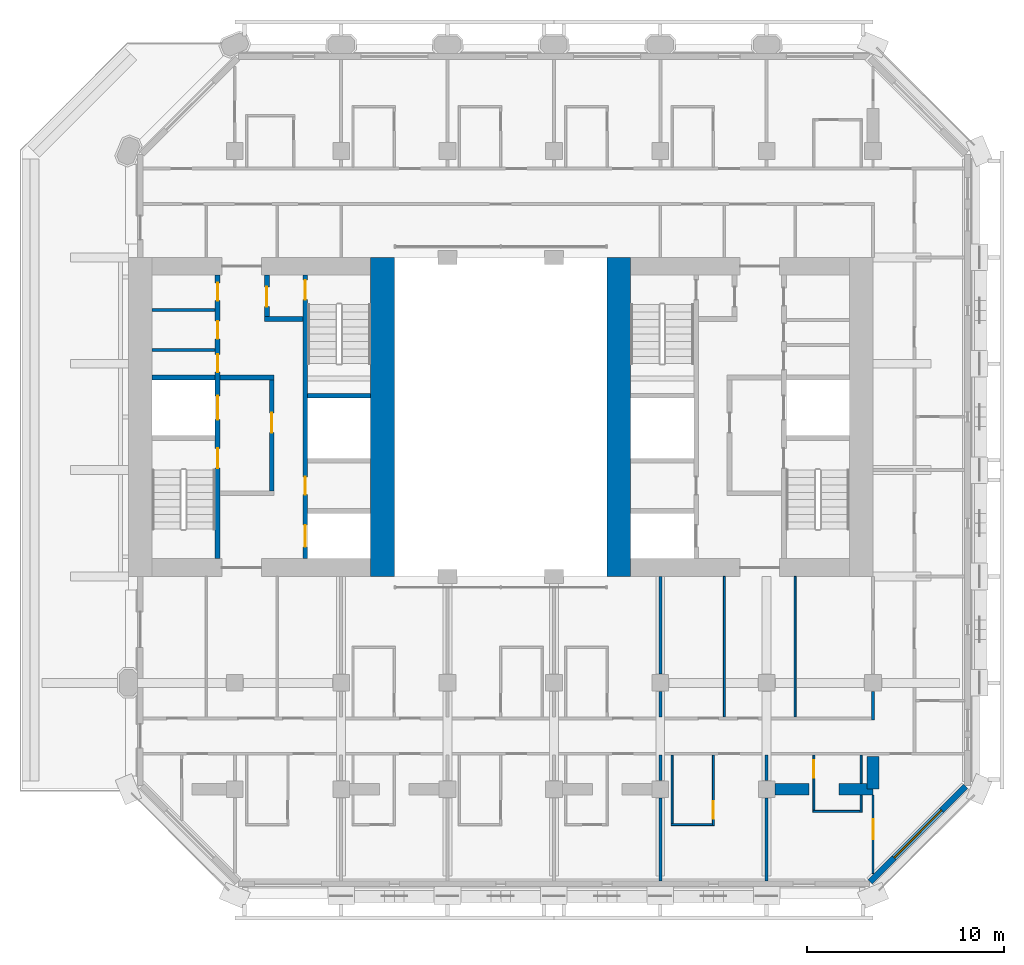
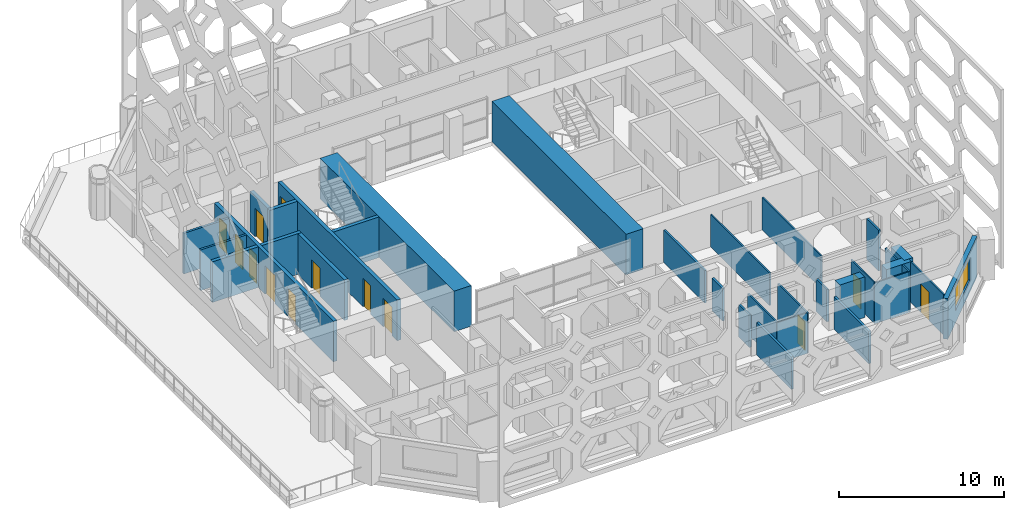
# One storey, part 8 of 16: 33 walls, 13 doors, 1 window, 14 openings.
"""IFC4 building model written with IfcOpenShell, lengths in metres."""

from ifc_helpers import new_model, si_unit, direction, frame, frame_2d, origin, place, context, subcontext, project, spatial, rectangle, extrude, material, layer, layer_set, type_object, element, fill, save


model = new_model("IFC4")

# Units and contexts
model_context = context("Model", 3, precision=1e-05, world=origin(), true_north=direction((0.0, 1.0)))
body_context = subcontext(model_context, "Body", "Model", "MODEL_VIEW")
ifc_project = project(units=[si_unit("LENGTHUNIT", "METRE"), si_unit("AREAUNIT", "SQUARE_METRE"), si_unit("VOLUMEUNIT", "CUBIC_METRE"), si_unit("PLANEANGLEUNIT", "RADIAN"), si_unit("MASSUNIT", "GRAM", prefix="KILO")], contexts=[model_context])

# Site, building, storey
site_placement = place(None, origin())
site = spatial("IfcSite", under=ifc_project, at=site_placement, CompositionType="ELEMENT")
building_placement = place(site_placement, origin())
building = spatial("IfcBuilding", under=site, at=building_placement, Name="Tabaq Tower and Sports Hall", CompositionType="ELEMENT")
storey_placement = place(building_placement, frame((0.0, 0.0, 152.800048828125)))
storey = spatial("IfcBuildingStorey", under=building, at=storey_placement, Name="L35", CompositionType="ELEMENT", Elevation=152.800048828125)

# Walls
ifc_material_1 = material(Name="Blockwork", Category="masonry")
ifc_layer_1 = layer(ifc_material_1, 0.14990234375)
ifc_layer_set_1 = layer_set([ifc_layer_1], Name="Core room partition 150 Blockwork")
wall_type_1 = type_object("IfcWallType", Name="Core room partition 150 Blockwork", PredefinedType="PARTITIONING", material=ifc_layer_set_1)
for number, where, z_axis, x_axis, name in (
    (1, (6.60009765625, 27.694091796875, 0.0), (0.0, 0.0, 1.0), (1.0, 0.0, 0.0), "Core room partition W L35"),
    (2, (6.60009765625, 29.72412109375, 0.0), (0.0, 0.0, 1.0), (1.0, 0.0, 0.0), "Core room partition W L35"),
):
    element("IfcWall", number, at=place(storey_placement, frame(where, z_axis=z_axis, x_axis=x_axis)), inside=storey, type_object=wall_type_1, Name=name, PredefinedType="PARTITIONING", context=body_context, shape_type="SweptSolid", body=[
        extrude(rectangle(XDim=3.199951171875, YDim=0.14990234375, at=frame_2d((1.60009765625, 0.0))), origin(), (0.0, 0.0, 1.0), 3.0),
    ])
ifc_material_2 = material(Name="Concrete C50/60", Category="concrete")
ifc_layer_2 = layer(ifc_material_2, 1.199951171875)
ifc_layer_set_2 = layer_set([ifc_layer_2], Name="Core wall 1200 Concrete C50/60")
wall_type_2 = type_object("IfcWallType", Name="Core wall 1200 Concrete C50/60", PredefinedType="SOLIDWALL", material=ifc_layer_set_2)
for number, where, z_axis, x_axis, name in (
    (3, (18.300048828125, 32.39990234375, 0.0), (0.0, 0.0, 1.0), (0.0, -1.0, 0.0), "Core wall W L35"),
    (4, (30.300048828125, 16.199951171875, 0.0), (0.0, 0.0, 1.0), (0.0, 1.0, 0.0), "Core wall E L35"),
):
    element("IfcWall", number, at=place(storey_placement, frame(where, z_axis=z_axis, x_axis=x_axis)), inside=storey, type_object=wall_type_2, Name=name, PredefinedType="SOLIDWALL", context=body_context, shape_type="SweptSolid", body=[
        extrude(rectangle(XDim=16.199951171875, YDim=1.199951171875, at=frame_2d((8.10009765625, 0.0))), origin(), (0.0, 0.0, 1.0), 3.0),
    ])

# Wall, opening, door
ifc_material_3 = material(Name="Gypsum board on steel studs", Category="steel")
ifc_layer_3 = layer(ifc_material_3, 0.10009765625)
ifc_layer_set_3 = layer_set([ifc_layer_3], Name="Partition 100 Gypsum board")
wall_type_3 = type_object("IfcWallType", Name="Partition 100 Gypsum board", PredefinedType="PARTITIONING", material=ifc_layer_set_3)
wall_1_placement = place(storey_placement, frame((35.10009765625, 7.125, 0.0), z_axis=(0.0, 0.0, 1.0), x_axis=(0.0, -1.0, 0.0)))
wall_1 = element("IfcWall", 5, at=wall_1_placement, inside=storey, type_object=wall_type_3, Name="Partition wall L35", PredefinedType="PARTITIONING", context=body_context, shape_type="SweptSolid", body=[
    extrude(rectangle(XDim=3.574951171875, YDim=0.10009765625, at=frame_2d((1.78759765625, 0.0))), origin(), (0.0, 0.0, 1.0), 3.0),
])
opening_1_placement = place(wall_1_placement, frame((2.324951171875, 0.0, 0.0)))
opening_1 = element("IfcOpeningElement", 6, at=opening_1_placement, cuts=wall_1, Name="Opening L35-023", PredefinedType="OPENING", context=body_context, shape_type="SweptSolid", body=[
    extrude(rectangle(XDim=0.89990234375, YDim=2.10009765625, at=frame_2d((0.449951171875, 1.050048828125))), frame((0.0, 0.050048828125, 0.0), z_axis=(0.0, -1.0, 0.0), x_axis=(1.0, 0.0, 0.0)), (0.0, 0.0, 1.0), 0.10009765625),
])
ifc_material_4 = material(Name="Timber leaf in steel frame", Category="steel")
door_type_1 = type_object("IfcDoorType", Name="Internal door 900 left hand", OperationType="SINGLE_SWING_LEFT", PredefinedType="DOOR", material=ifc_material_4)
door_1_placement = place(opening_1_placement, origin())
door_1 = element("IfcDoor", 7, at=door_1_placement, inside=storey, type_object=door_type_1, Name="Internal door L35-023", OperationType="SINGLE_SWING_LEFT", OverallHeight=2.10009765625, OverallWidth=0.89990234375, PredefinedType="DOOR", context=body_context, shape_type="SweptSolid", body=[
    extrude(rectangle(XDim=0.89990234375, YDim=2.10009765625, at=frame_2d((0.449951171875, 1.050048828125))), frame((0.0, 0.02490234375, 0.0), z_axis=(0.0, -1.0, 0.0), x_axis=(1.0, 0.0, 0.0)), (0.0, 0.0, 1.0), 0.050048828125),
])
fill(opening_1, door_1)

# Walls
wall_2_placement = place(storey_placement, frame((35.050048828125, 3.60009765625, 0.0), z_axis=(0.0, 0.0, 1.0), x_axis=(-1.0, 0.0, 0.0)))
element("IfcWall", 8, at=wall_2_placement, inside=storey, type_object=wall_type_3, Name="Partition wall L35", PredefinedType="PARTITIONING", context=body_context, shape_type="SweptSolid", body=[
    extrude(rectangle(XDim=2.10009765625, YDim=0.10009765625, at=frame_2d((1.050048828125, 0.0))), origin(), (0.0, 0.0, 1.0), 3.0),
])
wall_3_placement = place(storey_placement, frame((33.0, 3.64990234375, 0.0), z_axis=(0.0, 0.0, 1.0), x_axis=(0.0, 1.0, 0.0)))
element("IfcWall", 9, at=wall_3_placement, inside=storey, type_object=wall_type_3, Name="Partition wall L35", PredefinedType="PARTITIONING", context=body_context, shape_type="SweptSolid", body=[
    extrude(rectangle(XDim=3.47509765625, YDim=0.10009765625, at=frame_2d((1.737548828125, 0.0))), origin(), (0.0, 0.0, 1.0), 3.0),
])

# Wall, opening, door
wall_4_placement = place(storey_placement, frame((43.199951171875, 1.112060546875, 0.0), z_axis=(0.0, 0.0, 1.0), x_axis=(0.0, 1.0, 0.0)))
wall_4 = element("IfcWall", 10, at=wall_4_placement, inside=storey, type_object=wall_type_3, Name="Partition wall L35", PredefinedType="PARTITIONING", context=body_context, shape_type="SweptSolid", body=[
    extrude(rectangle(XDim=3.987060546875, YDim=0.10009765625, at=frame_2d((1.99365234375, 0.0))), origin(), (0.0, 0.0, 1.0), 3.0),
])
opening_2_placement = place(wall_4_placement, frame((1.751220703125, 0.0, 0.0)))
opening_2 = element("IfcOpeningElement", 11, at=opening_2_placement, cuts=wall_4, Name="Opening L35-049", PredefinedType="OPENING", context=body_context, shape_type="SweptSolid", body=[
    extrude(rectangle(XDim=1.0, YDim=2.10009765625, at=frame_2d((0.5, 1.050048828125))), frame((0.0, 0.050048828125, 0.0), z_axis=(0.0, -1.0, 0.0), x_axis=(1.0, 0.0, 0.0)), (0.0, 0.0, 1.0), 0.10009765625),
])
ifc_material_5 = material(Name="Timber leaf in steel frame", Category="steel")
door_type_2 = type_object("IfcDoorType", Name="Internal door 1000 right hand", OperationType="SINGLE_SWING_RIGHT", PredefinedType="DOOR", material=ifc_material_5)
door_2_placement = place(opening_2_placement, origin())
door_2 = element("IfcDoor", 12, at=door_2_placement, inside=storey, type_object=door_type_2, Name="Internal door L35-049", OperationType="SINGLE_SWING_RIGHT", OverallHeight=2.10009765625, OverallWidth=1.0, PredefinedType="DOOR", context=body_context, shape_type="SweptSolid", body=[
    extrude(rectangle(XDim=1.0, YDim=2.10009765625, at=frame_2d((0.5, 1.050048828125))), frame((0.0, 0.02490234375, 0.0), z_axis=(0.0, -1.0, 0.0), x_axis=(1.0, 0.0, 0.0)), (0.0, 0.0, 1.0), 0.050048828125),
])
fill(opening_2, door_2)

# Walls
wall_5_placement = place(storey_placement, frame((42.60009765625, 7.125, 0.0), z_axis=(0.0, 0.0, 1.0), x_axis=(0.0, -1.0, 0.0)))
element("IfcWall", 13, at=wall_5_placement, inside=storey, type_object=wall_type_3, Name="Partition wall L35", PredefinedType="PARTITIONING", context=body_context, shape_type="SweptSolid", body=[
    extrude(rectangle(XDim=1.424072265625, YDim=0.10009765625, at=frame_2d((0.7119140625, 0.0))), origin(), (0.0, 0.0, 1.0), 3.0),
])
wall_6_placement = place(storey_placement, frame((42.60009765625, 5.09912109375, 0.0), z_axis=(0.0, 0.0, 1.0), x_axis=(0.0, -1.0, 0.0)))
element("IfcWall", 14, at=wall_6_placement, inside=storey, type_object=wall_type_3, Name="Partition wall L35", PredefinedType="PARTITIONING", context=body_context, shape_type="SweptSolid", body=[
    extrude(rectangle(XDim=0.8740234375, YDim=0.10009765625, at=frame_2d((0.43701171875, 0.0))), origin(), (0.0, 0.0, 1.0), 3.0),
])
wall_7_placement = place(storey_placement, frame((42.550048828125, 4.27490234375, 0.0), z_axis=(0.0, 0.0, 1.0), x_axis=(-1.0, 0.0, 0.0)))
element("IfcWall", 15, at=wall_7_placement, inside=storey, type_object=wall_type_3, Name="Partition wall L35", PredefinedType="PARTITIONING", context=body_context, shape_type="SweptSolid", body=[
    extrude(rectangle(XDim=2.400146484375, YDim=0.10009765625, at=frame_2d((1.2001953125, 0.0))), origin(), (0.0, 0.0, 1.0), 3.0),
])

# Wall, opening, door
wall_8_placement = place(storey_placement, frame((40.199951171875, 4.324951171875, 0.0), z_axis=(0.0, 0.0, 1.0), x_axis=(0.0, 1.0, 0.0)))
wall_8 = element("IfcWall", 16, at=wall_8_placement, inside=storey, type_object=wall_type_3, Name="Partition wall L35", PredefinedType="PARTITIONING", context=body_context, shape_type="SweptSolid", body=[
    extrude(rectangle(XDim=2.800048828125, YDim=0.10009765625, at=frame_2d((1.39990234375, 0.0))), origin(), (0.0, 0.0, 1.0), 3.0),
])
opening_3_placement = place(wall_8_placement, frame((1.64990234375, 0.0, 0.0)))
opening_3 = element("IfcOpeningElement", 17, at=opening_3_placement, cuts=wall_8, Name="Opening L35-024", PredefinedType="OPENING", context=body_context, shape_type="SweptSolid", body=[
    extrude(rectangle(XDim=0.89990234375, YDim=2.10009765625, at=frame_2d((0.449951171875, 1.050048828125))), frame((0.0, 0.050048828125, 0.0), z_axis=(0.0, -1.0, 0.0), x_axis=(1.0, 0.0, 0.0)), (0.0, 0.0, 1.0), 0.10009765625),
])
ifc_material_6 = material(Name="Timber leaf in steel frame", Category="steel")
door_type_3 = type_object("IfcDoorType", Name="Internal door 900 right hand", OperationType="SINGLE_SWING_RIGHT", PredefinedType="DOOR", material=ifc_material_6)
door_3_placement = place(opening_3_placement, origin())
door_3 = element("IfcDoor", 18, at=door_3_placement, inside=storey, type_object=door_type_3, Name="Internal door L35-024", OperationType="SINGLE_SWING_RIGHT", OverallHeight=2.10009765625, OverallWidth=0.89990234375, PredefinedType="DOOR", context=body_context, shape_type="SweptSolid", body=[
    extrude(rectangle(XDim=0.89990234375, YDim=2.10009765625, at=frame_2d((0.449951171875, 1.050048828125))), frame((0.0, 0.02490234375, 0.0), z_axis=(0.0, -1.0, 0.0), x_axis=(1.0, 0.0, 0.0)), (0.0, 0.0, 1.0), 0.050048828125),
])
fill(opening_3, door_3)

# Walls
for number, where, z_axis, x_axis, name in (
    (19, (35.64990234375, 16.199951171875, 0.0), (0.0, 0.0, 1.0), (0.0, -1.0, 0.0), "Partition wall L35"),
    (20, (39.25, 9.074951171875, 0.0), (0.0, 0.0, 1.0), (0.0, 1.0, 0.0), "Partition wall L35"),
):
    element("IfcWall", number, at=place(storey_placement, frame(where, z_axis=z_axis, x_axis=x_axis)), inside=storey, type_object=wall_type_3, Name=name, PredefinedType="PARTITIONING", context=body_context, shape_type="SweptSolid", body=[
        extrude(rectangle(XDim=7.125, YDim=0.10009765625, at=frame_2d((3.5625, 0.0))), origin(), (0.0, 0.0, 1.0), 2.39990234375),
    ])
ifc_material_7 = material(Name="Concrete C50/60", Category="concrete")
ifc_layer_4 = layer(ifc_material_7, 0.60009765625)
ifc_layer_set_4 = layer_set([ifc_layer_4], Name="RC TRANSFER WALL 600 C50/60")
wall_type_4 = type_object("IfcWallType", Name="RC TRANSFER WALL 600 C50/60", PredefinedType="SHEAR", material=ifc_layer_set_4)
wall_9_placement = place(storey_placement, frame((43.199951171875, 5.39990234375, 0.0), z_axis=(0.0, 0.0, 1.0), x_axis=(0.0, 1.0, 0.0)))
element("IfcWall", 21, at=wall_9_placement, inside=storey, type_object=wall_type_4, Name="Transfer Wall L35 East 1", PredefinedType="SHEAR", context=body_context, shape_type="SweptSolid", body=[
    extrude(rectangle(XDim=1.650146484375, YDim=0.60009765625, at=frame_2d((0.8251953125, 0.0))), origin(), (0.0, 0.0, 1.0), 3.0),
])
wall_10_placement = place(storey_placement, frame((38.22509765625, 5.39990234375, 0.0), z_axis=(0.0, 0.0, 1.0), x_axis=(1.0, 0.0, 0.0)))
element("IfcWall", 22, at=wall_10_placement, inside=storey, type_object=wall_type_4, Name="Transfer Wall L35 South 10", PredefinedType="SHEAR", context=body_context, shape_type="SweptSolid", body=[
    extrude(rectangle(XDim=1.7373046875, YDim=0.60009765625, at=frame_2d((0.86865234375, 0.0))), origin(), (0.0, 0.0, 1.0), 3.0),
])
wall_11_placement = place(storey_placement, frame((41.46240234375, 5.39990234375, 0.0), z_axis=(0.0, 0.0, 1.0), x_axis=(1.0, 0.0, 0.0)))
element("IfcWall", 23, at=wall_11_placement, inside=storey, type_object=wall_type_4, Name="Transfer Wall L35 South 11", PredefinedType="SHEAR", context=body_context, shape_type="SweptSolid", body=[
    extrude(rectangle(XDim=1.737548828125, YDim=0.60009765625, at=frame_2d((0.86865234375, 0.0))), origin(), (0.0, 0.0, 1.0), 3.0),
])
ifc_material_8 = material(Name="Blockwork", Category="masonry")
ifc_layer_5 = layer(ifc_material_8, 0.14990234375)
ifc_layer_set_5 = layer_set([ifc_layer_5], Name="Separating wall 150 Blockwork")
wall_type_5 = type_object("IfcWallType", Name="Separating wall 150 Blockwork", PredefinedType="PARTITIONING", material=ifc_layer_set_5)
wall_12_placement = place(storey_placement, frame((32.39990234375, 9.074951171875, 0.0), z_axis=(0.0, 0.0, 1.0), x_axis=(0.0, 1.0, 0.0)))
element("IfcWall", 24, at=wall_12_placement, inside=storey, type_object=wall_type_5, Name="Separating wall L35", PredefinedType="PARTITIONING", context=body_context, shape_type="SweptSolid", body=[
    extrude(rectangle(XDim=1.280029296875, YDim=0.14990234375, at=frame_2d((0.64013671875, 0.0))), origin(), (0.0, 0.0, 1.0), 2.39990234375),
])
wall_13_placement = place(storey_placement, frame((32.39990234375, 11.2451171875, 0.0), z_axis=(0.0, 0.0, 1.0), x_axis=(0.0, 1.0, 0.0)))
element("IfcWall", 25, at=wall_13_placement, inside=storey, type_object=wall_type_5, Name="Separating wall L35", PredefinedType="PARTITIONING", context=body_context, shape_type="SweptSolid", body=[
    extrude(rectangle(XDim=4.954833984375, YDim=0.14990234375, at=frame_2d((2.4775390625, 0.0))), origin(), (0.0, 0.0, 1.0), 2.39990234375),
])
wall_14_placement = place(storey_placement, frame((32.39990234375, 0.7509765625, 0.0), z_axis=(0.0, 0.0, 1.0), x_axis=(0.0, 1.0, 0.0)))
element("IfcWall", 26, at=wall_14_placement, inside=storey, type_object=wall_type_5, Name="Separating wall L35", PredefinedType="PARTITIONING", context=body_context, shape_type="SweptSolid", body=[
    extrude(rectangle(XDim=4.2041015625, YDim=0.14990234375, at=frame_2d((2.10205078125, 0.0))), origin(), (0.0, 0.0, 1.0), 2.39990234375),
])
wall_15_placement = place(storey_placement, frame((32.39990234375, 5.844970703125, 0.0), z_axis=(0.0, 0.0, 1.0), x_axis=(0.0, 1.0, 0.0)))
element("IfcWall", 27, at=wall_15_placement, inside=storey, type_object=wall_type_5, Name="Separating wall L35", PredefinedType="PARTITIONING", context=body_context, shape_type="SweptSolid", body=[
    extrude(rectangle(XDim=1.280029296875, YDim=0.14990234375, at=frame_2d((0.64013671875, 0.0))), origin(), (0.0, 0.0, 1.0), 2.39990234375),
])
wall_16_placement = place(storey_placement, frame((37.800048828125, 0.7509765625, 0.0), z_axis=(0.0, 0.0, 1.0), x_axis=(0.0, 1.0, 0.0)))
element("IfcWall", 28, at=wall_16_placement, inside=storey, type_object=wall_type_5, Name="Separating wall L35", PredefinedType="PARTITIONING", context=body_context, shape_type="SweptSolid", body=[
    extrude(rectangle(XDim=4.2041015625, YDim=0.14990234375, at=frame_2d((2.10205078125, 0.0))), origin(), (0.0, 0.0, 1.0), 2.39990234375),
])
wall_17_placement = place(storey_placement, frame((37.800048828125, 5.844970703125, 0.0), z_axis=(0.0, 0.0, 1.0), x_axis=(0.0, 1.0, 0.0)))
element("IfcWall", 29, at=wall_17_placement, inside=storey, type_object=wall_type_5, Name="Separating wall L35", PredefinedType="PARTITIONING", context=body_context, shape_type="SweptSolid", body=[
    extrude(rectangle(XDim=1.280029296875, YDim=0.14990234375, at=frame_2d((0.64013671875, 0.0))), origin(), (0.0, 0.0, 1.0), 2.39990234375),
])
wall_18_placement = place(storey_placement, frame((43.199951171875, 10.35498046875, 0.0), z_axis=(0.0, 0.0, 1.0), x_axis=(0.0, -1.0, 0.0)))
element("IfcWall", 30, at=wall_18_placement, inside=storey, type_object=wall_type_5, Name="Separating wall L35", PredefinedType="PARTITIONING", context=body_context, shape_type="SweptSolid", body=[
    extrude(rectangle(XDim=1.429931640625, YDim=0.14990234375, at=frame_2d((0.71484375, 0.0))), origin(), (0.0, 0.0, 1.0), 3.0),
])

# Wall, openings, doors
ifc_material_9 = material(Name="Concrete C40/50", Category="concrete")
ifc_layer_6 = layer(ifc_material_9, 0.25)
ifc_layer_set_6 = layer_set([ifc_layer_6], Name="Shaft and stair wall 250 Concrete C40/50")
wall_type_6 = type_object("IfcWallType", Name="Shaft and stair wall 250 Concrete C40/50", PredefinedType="SOLIDWALL", material=ifc_layer_set_6)
wall_19_placement = place(storey_placement, frame((9.925048828125, 17.10009765625, 0.0), z_axis=(0.0, 0.0, 1.0), x_axis=(0.0, 1.0, 0.0)))
wall_19 = element("IfcWall", 31, at=wall_19_placement, inside=storey, type_object=wall_type_6, Name="Shaft wall W L35", PredefinedType="SOLIDWALL", context=body_context, shape_type="SweptSolid", body=[
    extrude(rectangle(XDim=14.39990234375, YDim=0.25, at=frame_2d((7.199951171875, 0.0))), origin(), (0.0, 0.0, 1.0), 3.0),
])
opening_4_placement = place(wall_19_placement, frame((4.60009765625, 0.0, 0.0)))
opening_4 = element("IfcOpeningElement", 32, at=opening_4_placement, cuts=wall_19, Name="Opening SD-WL35-03", PredefinedType="OPENING", context=body_context, shape_type="SweptSolid", body=[
    extrude(rectangle(XDim=1.0, YDim=2.10009765625, at=frame_2d((0.5, 1.050048828125))), frame((0.0, 0.125, 0.0), z_axis=(0.0, -1.0, 0.0), x_axis=(1.0, 0.0, 0.0)), (0.0, 0.0, 1.0), 0.25),
])
opening_5_placement = place(wall_19_placement, frame((7.0625, 0.0, 0.0)))
opening_5 = element("IfcOpeningElement", 33, at=opening_5_placement, cuts=wall_19, Name="Opening LD-FF1-L35", PredefinedType="OPENING", context=body_context, shape_type="SweptSolid", body=[
    extrude(rectangle(XDim=1.199951171875, YDim=2.10009765625, at=frame_2d((0.60009765625, 1.050048828125))), frame((0.0, 0.125, 0.0), z_axis=(0.0, -1.0, 0.0), x_axis=(1.0, 0.0, 0.0)), (0.0, 0.0, 1.0), 0.25),
])
opening_6_placement = place(wall_19_placement, frame((9.471923828125, 0.0, 0.0)))
opening_6 = element("IfcOpeningElement", 34, at=opening_6_placement, cuts=wall_19, Name="Opening RD-WL35-09", PredefinedType="OPENING", context=body_context, shape_type="SweptSolid", body=[
    extrude(rectangle(XDim=0.89990234375, YDim=2.10009765625, at=frame_2d((0.449951171875, 1.050048828125))), frame((0.0, 0.125, 0.0), z_axis=(0.0, -1.0, 0.0), x_axis=(1.0, 0.0, 0.0)), (0.0, 0.0, 1.0), 0.25),
])
opening_7_placement = place(wall_19_placement, frame((11.158935546875, 0.0, 0.0)))
opening_7 = element("IfcOpeningElement", 35, at=opening_7_placement, cuts=wall_19, Name="Opening RD-WL35-10", PredefinedType="OPENING", context=body_context, shape_type="SweptSolid", body=[
    extrude(rectangle(XDim=0.89990234375, YDim=2.10009765625, at=frame_2d((0.449951171875, 1.050048828125))), frame((0.0, 0.125, 0.0), z_axis=(0.0, -1.0, 0.0), x_axis=(1.0, 0.0, 0.0)), (0.0, 0.0, 1.0), 0.25),
])
opening_8_placement = place(wall_19_placement, frame((13.099609375, 0.0, 0.0)))
opening_8 = element("IfcOpeningElement", 36, at=opening_8_placement, cuts=wall_19, Name="Opening RD-WL35-11", PredefinedType="OPENING", context=body_context, shape_type="SweptSolid", body=[
    extrude(rectangle(XDim=0.89990234375, YDim=2.10009765625, at=frame_2d((0.449951171875, 1.050048828125))), frame((0.0, 0.125, 0.0), z_axis=(0.0, -1.0, 0.0), x_axis=(1.0, 0.0, 0.0)), (0.0, 0.0, 1.0), 0.25),
])
ifc_material_10 = material(Name="Steel fire door", Category="steel")
door_type_4 = type_object("IfcDoorType", Name="Core room door 900", OperationType="SINGLE_SWING_LEFT", PredefinedType="DOOR", material=ifc_material_10)
door_4_placement = place(opening_6_placement, origin())
door_4 = element("IfcDoor", 37, at=door_4_placement, inside=storey, type_object=door_type_4, Name="Door Electrical Riser Room W L35", OperationType="SINGLE_SWING_LEFT", OverallHeight=2.10009765625, OverallWidth=0.89990234375, PredefinedType="DOOR", context=body_context, shape_type="SweptSolid", body=[
    extrude(rectangle(XDim=0.89990234375, YDim=2.10009765625, at=frame_2d((0.449951171875, 1.050048828125))), frame((0.0, 0.02490234375, 0.0), z_axis=(0.0, -1.0, 0.0), x_axis=(1.0, 0.0, 0.0)), (0.0, 0.0, 1.0), 0.050048828125),
])
fill(opening_6, door_4)
door_5_placement = place(opening_7_placement, origin())
door_5 = element("IfcDoor", 38, at=door_5_placement, inside=storey, type_object=door_type_4, Name="Door Unisex WC W L35", OperationType="SINGLE_SWING_LEFT", OverallHeight=2.10009765625, OverallWidth=0.89990234375, PredefinedType="DOOR", context=body_context, shape_type="SweptSolid", body=[
    extrude(rectangle(XDim=0.89990234375, YDim=2.10009765625, at=frame_2d((0.449951171875, 1.050048828125))), frame((0.0, 0.02490234375, 0.0), z_axis=(0.0, -1.0, 0.0), x_axis=(1.0, 0.0, 0.0)), (0.0, 0.0, 1.0), 0.050048828125),
])
fill(opening_7, door_5)
door_6_placement = place(opening_8_placement, origin())
door_6 = element("IfcDoor", 39, at=door_6_placement, inside=storey, type_object=door_type_4, Name="Door Accessible WC W L35", OperationType="SINGLE_SWING_LEFT", OverallHeight=2.10009765625, OverallWidth=0.89990234375, PredefinedType="DOOR", context=body_context, shape_type="SweptSolid", body=[
    extrude(rectangle(XDim=0.89990234375, YDim=2.10009765625, at=frame_2d((0.449951171875, 1.050048828125))), frame((0.0, 0.02490234375, 0.0), z_axis=(0.0, -1.0, 0.0), x_axis=(1.0, 0.0, 0.0)), (0.0, 0.0, 1.0), 0.050048828125),
])
fill(opening_8, door_6)
ifc_material_11 = material(Name="Stainless steel", Category="steel")
door_type_5 = type_object("IfcDoorType", Name="Lift landing door 1200", OperationType="DOUBLE_DOOR_SLIDING", PredefinedType="DOOR", material=ifc_material_11)
door_7_placement = place(opening_5_placement, origin())
door_7 = element("IfcDoor", 40, at=door_7_placement, inside=storey, type_object=door_type_5, Name="Lift landing door FF1 W L35", OperationType="DOUBLE_DOOR_SLIDING", OverallHeight=2.10009765625, OverallWidth=1.199951171875, PredefinedType="DOOR", context=body_context, shape_type="SweptSolid", body=[
    extrude(rectangle(XDim=1.199951171875, YDim=2.10009765625, at=frame_2d((0.60009765625, 1.050048828125))), frame((0.0, 0.02490234375, 0.0), z_axis=(0.0, -1.0, 0.0), x_axis=(1.0, 0.0, 0.0)), (0.0, 0.0, 1.0), 0.050048828125),
])
fill(opening_5, door_7)
ifc_material_12 = material(Name="Steel fire door", Category="steel")
door_type_6 = type_object("IfcDoorType", Name="Stair door 1000", OperationType="SINGLE_SWING_LEFT", PredefinedType="DOOR", material=ifc_material_12)
door_8_placement = place(opening_4_placement, origin())
door_8 = element("IfcDoor", 41, at=door_8_placement, inside=storey, type_object=door_type_6, Name="Stair door ST1 W L35", OperationType="SINGLE_SWING_LEFT", OverallHeight=2.10009765625, OverallWidth=1.0, PredefinedType="DOOR", context=body_context, shape_type="SweptSolid", body=[
    extrude(rectangle(XDim=1.0, YDim=2.10009765625, at=frame_2d((0.5, 1.050048828125))), frame((0.0, 0.02490234375, 0.0), z_axis=(0.0, -1.0, 0.0), x_axis=(1.0, 0.0, 0.0)), (0.0, 0.0, 1.0), 0.050048828125),
])
fill(opening_4, door_8)

wall_20_placement = place(storey_placement, frame((14.375, 17.10009765625, 0.0), z_axis=(0.0, 0.0, 1.0), x_axis=(0.0, 1.0, 0.0)))
wall_20 = element("IfcWall", 42, at=wall_20_placement, inside=storey, type_object=wall_type_6, Name="Shaft wall W L35", PredefinedType="SOLIDWALL", context=body_context, shape_type="SweptSolid", body=[
    extrude(rectangle(XDim=14.39990234375, YDim=0.25, at=frame_2d((7.199951171875, 0.0))), origin(), (0.0, 0.0, 1.0), 3.0),
])
opening_9_placement = place(wall_20_placement, frame((13.14990234375, 0.0, 0.0)))
opening_9 = element("IfcOpeningElement", 43, at=opening_9_placement, cuts=wall_20, Name="Opening SD-WL35-05", PredefinedType="OPENING", context=body_context, shape_type="SweptSolid", body=[
    extrude(rectangle(XDim=1.0, YDim=2.10009765625, at=frame_2d((0.5, 1.050048828125))), frame((0.0, 0.125, 0.0), z_axis=(0.0, -1.0, 0.0), x_axis=(1.0, 0.0, 0.0)), (0.0, 0.0, 1.0), 0.25),
])
opening_10_placement = place(wall_20_placement, frame((0.60009765625, 0.0, 0.0)))
opening_10 = element("IfcOpeningElement", 44, at=opening_10_placement, cuts=wall_20, Name="Opening LD-MR1-L35", PredefinedType="OPENING", context=body_context, shape_type="SweptSolid", body=[
    extrude(rectangle(XDim=1.10009765625, YDim=2.10009765625, at=frame_2d((0.550048828125, 1.050048828125))), frame((0.0, 0.125, 0.0), z_axis=(0.0, -1.0, 0.0), x_axis=(1.0, 0.0, 0.0)), (0.0, 0.0, 1.0), 0.25),
])
opening_11_placement = place(wall_20_placement, frame((3.25, 0.0, 0.0)))
opening_11 = element("IfcOpeningElement", 45, at=opening_11_placement, cuts=wall_20, Name="Opening RD-WL35-12", PredefinedType="OPENING", context=body_context, shape_type="SweptSolid", body=[
    extrude(rectangle(XDim=0.89990234375, YDim=2.10009765625, at=frame_2d((0.449951171875, 1.050048828125))), frame((0.0, 0.125, 0.0), z_axis=(0.0, -1.0, 0.0), x_axis=(1.0, 0.0, 0.0)), (0.0, 0.0, 1.0), 0.25),
])
door_9_placement = place(opening_11_placement, origin())
door_9 = element("IfcDoor", 46, at=door_9_placement, inside=storey, type_object=door_type_4, Name="Door Cleaner's Store W L35", OperationType="SINGLE_SWING_LEFT", OverallHeight=2.10009765625, OverallWidth=0.89990234375, PredefinedType="DOOR", context=body_context, shape_type="SweptSolid", body=[
    extrude(rectangle(XDim=0.89990234375, YDim=2.10009765625, at=frame_2d((0.449951171875, 1.050048828125))), frame((0.0, 0.02490234375, 0.0), z_axis=(0.0, -1.0, 0.0), x_axis=(1.0, 0.0, 0.0)), (0.0, 0.0, 1.0), 0.050048828125),
])
fill(opening_11, door_9)
ifc_material_13 = material(Name="Stainless steel", Category="steel")
door_type_7 = type_object("IfcDoorType", Name="Lift landing door 1100", OperationType="DOUBLE_DOOR_SLIDING", PredefinedType="DOOR", material=ifc_material_13)
door_10_placement = place(opening_10_placement, origin())
door_10 = element("IfcDoor", 47, at=door_10_placement, inside=storey, type_object=door_type_7, Name="Lift landing door MR1 W L35", OperationType="DOUBLE_DOOR_SLIDING", OverallHeight=2.10009765625, OverallWidth=1.10009765625, PredefinedType="DOOR", context=body_context, shape_type="SweptSolid", body=[
    extrude(rectangle(XDim=1.10009765625, YDim=2.10009765625, at=frame_2d((0.550048828125, 1.050048828125))), frame((0.0, 0.02490234375, 0.0), z_axis=(0.0, -1.0, 0.0), x_axis=(1.0, 0.0, 0.0)), (0.0, 0.0, 1.0), 0.050048828125),
])
fill(opening_10, door_10)
door_11_placement = place(opening_9_placement, origin())
door_11 = element("IfcDoor", 48, at=door_11_placement, inside=storey, type_object=door_type_6, Name="Stair door ST2 W L35", OperationType="SINGLE_SWING_LEFT", OverallHeight=2.10009765625, OverallWidth=1.0, PredefinedType="DOOR", context=body_context, shape_type="SweptSolid", body=[
    extrude(rectangle(XDim=1.0, YDim=2.10009765625, at=frame_2d((0.5, 1.050048828125))), frame((0.0, 0.02490234375, 0.0), z_axis=(0.0, -1.0, 0.0), x_axis=(1.0, 0.0, 0.0)), (0.0, 0.0, 1.0), 0.050048828125),
])
fill(opening_9, door_11)

# Walls
for number, where, z_axis, x_axis, name in (
    (49, (14.5, 25.375, 0.0), (0.0, 0.0, 1.0), (1.0, 0.0, 0.0), "Stair enclosure wall W L35"),
    (50, (6.60009765625, 26.300048828125, 0.0), (0.0, 0.0, 1.0), (1.0, 0.0, 0.0), "Shaft wall W L35"),
):
    element("IfcWall", number, at=place(storey_placement, frame(where, z_axis=z_axis, x_axis=x_axis)), inside=storey, type_object=wall_type_6, Name=name, PredefinedType="SOLIDWALL", context=body_context, shape_type="SweptSolid", body=[
        extrude(rectangle(XDim=3.199951171875, YDim=0.25, at=frame_2d((1.60009765625, 0.0))), origin(), (0.0, 0.0, 1.0), 3.0),
    ])
wall_21_placement = place(storey_placement, frame((10.050048828125, 26.300048828125, 0.0), z_axis=(0.0, 0.0, 1.0), x_axis=(1.0, 0.0, 0.0)))
element("IfcWall", 51, at=wall_21_placement, inside=storey, type_object=wall_type_6, Name="Fire-fighting lobby wall W L35", PredefinedType="SOLIDWALL", context=body_context, shape_type="SweptSolid", body=[
    extrude(rectangle(XDim=2.75, YDim=0.25, at=frame_2d((1.375, 0.0))), origin(), (0.0, 0.0, 1.0), 3.0),
])

# Wall, opening, door
wall_22_placement = place(storey_placement, frame((12.425048828125, 29.39990234375, 0.0), z_axis=(0.0, 0.0, 1.0), x_axis=(0.0, 1.0, 0.0)))
wall_22 = element("IfcWall", 52, at=wall_22_placement, inside=storey, type_object=wall_type_6, Name="Fire-fighting lobby wall W L35", PredefinedType="SOLIDWALL", context=body_context, shape_type="SweptSolid", body=[
    extrude(rectangle(XDim=2.10009765625, YDim=0.25, at=frame_2d((1.050048828125, 0.0))), origin(), (0.0, 0.0, 1.0), 3.0),
])
opening_12_placement = place(wall_22_placement, frame((0.5, 0.0, 0.0)))
opening_12 = element("IfcOpeningElement", 53, at=opening_12_placement, cuts=wall_22, Name="Opening FD-WL35-06", PredefinedType="OPENING", context=body_context, shape_type="SweptSolid", body=[
    extrude(rectangle(XDim=1.0, YDim=2.10009765625, at=frame_2d((0.5, 1.050048828125))), frame((0.0, 0.125, 0.0), z_axis=(0.0, -1.0, 0.0), x_axis=(1.0, 0.0, 0.0)), (0.0, 0.0, 1.0), 0.25),
])
ifc_material_14 = material(Name="Steel fire door", Category="steel")
door_type_8 = type_object("IfcDoorType", Name="Fire-fighting lobby door 1000", OperationType="SINGLE_SWING_LEFT", PredefinedType="DOOR", material=ifc_material_14)
door_12_placement = place(opening_12_placement, origin())
door_12 = element("IfcDoor", 54, at=door_12_placement, inside=storey, type_object=door_type_8, Name="Stair lobby door W L35", OperationType="SINGLE_SWING_LEFT", OverallHeight=2.10009765625, OverallWidth=1.0, PredefinedType="DOOR", context=body_context, shape_type="SweptSolid", body=[
    extrude(rectangle(XDim=1.0, YDim=2.10009765625, at=frame_2d((0.5, 1.050048828125))), frame((0.0, 0.02490234375, 0.0), z_axis=(0.0, -1.0, 0.0), x_axis=(1.0, 0.0, 0.0)), (0.0, 0.0, 1.0), 0.050048828125),
])
fill(opening_12, door_12)

# Wall
wall_23_placement = place(storey_placement, frame((12.300048828125, 29.27490234375, 0.0), z_axis=(0.0, 0.0, 1.0), x_axis=(1.0, 0.0, 0.0)))
element("IfcWall", 55, at=wall_23_placement, inside=storey, type_object=wall_type_6, Name="Fire-fighting lobby wall W L35", PredefinedType="SOLIDWALL", context=body_context, shape_type="SweptSolid", body=[
    extrude(rectangle(XDim=1.949951171875, YDim=0.25, at=frame_2d((0.97509765625, 0.0))), origin(), (0.0, 0.0, 1.0), 3.0),
])

# Wall, opening, door
wall_24_placement = place(storey_placement, frame((12.675048828125, 20.550048828125, 0.0), z_axis=(0.0, 0.0, 1.0), x_axis=(0.0, 1.0, 0.0)))
wall_24 = element("IfcWall", 56, at=wall_24_placement, inside=storey, type_object=wall_type_6, Name="Fire-fighting lobby wall W L35", PredefinedType="SOLIDWALL", context=body_context, shape_type="SweptSolid", body=[
    extrude(rectangle(XDim=5.625, YDim=0.25, at=frame_2d((2.8125, 0.0))), origin(), (0.0, 0.0, 1.0), 3.0),
])
opening_13_placement = place(wall_24_placement, frame((2.949951171875, 0.0, 0.0)))
opening_13 = element("IfcOpeningElement", 57, at=opening_13_placement, cuts=wall_24, Name="Opening FD-WL35-04", PredefinedType="OPENING", context=body_context, shape_type="SweptSolid", body=[
    extrude(rectangle(XDim=1.0, YDim=2.10009765625, at=frame_2d((0.5, 1.050048828125))), frame((0.0, 0.125, 0.0), z_axis=(0.0, -1.0, 0.0), x_axis=(1.0, 0.0, 0.0)), (0.0, 0.0, 1.0), 0.25),
])
door_13_placement = place(opening_13_placement, origin())
door_13 = element("IfcDoor", 58, at=door_13_placement, inside=storey, type_object=door_type_8, Name="Fire-fighting lobby door W L35", OperationType="SINGLE_SWING_LEFT", OverallHeight=2.10009765625, OverallWidth=1.0, PredefinedType="DOOR", context=body_context, shape_type="SweptSolid", body=[
    extrude(rectangle(XDim=1.0, YDim=2.10009765625, at=frame_2d((0.5, 1.050048828125))), frame((0.0, 0.02490234375, 0.0), z_axis=(0.0, -1.0, 0.0), x_axis=(1.0, 0.0, 0.0)), (0.0, 0.0, 1.0), 0.050048828125),
])
fill(opening_13, door_13)

# Wall, opening, window
ifc_material_15 = material(Name="White precast concrete C60/75", Category="concrete")
ifc_layer_7 = layer(ifc_material_15, 0.300048828125)
ifc_layer_set_7 = layer_set([ifc_layer_7], Name="White precast concrete C60/75 external wall 300")
wall_type_7 = type_object("IfcWallType", Name="White precast concrete C60/75 external wall 300", PredefinedType="SOLIDWALL", material=ifc_layer_set_7)
wall_25_placement = place(storey_placement, frame((43.050537109375, 0.698974609375, 0.0), z_axis=(0.0, 0.0, 1.0), x_axis=(0.707106781187, 0.707106781187, 0.0)))
wall_25 = element("IfcWall", 59, at=wall_25_placement, inside=storey, type_object=wall_type_7, Name="External Wall L35 SE", PredefinedType="SOLIDWALL", context=body_context, shape_type="SweptSolid", body=[
    extrude(rectangle(XDim=6.85986328125, YDim=0.300048828125, at=frame_2d((3.429931640625, 0.0))), origin(), (0.0, 0.0, 1.0), 3.0),
])
opening_14_placement = place(wall_25_placement, frame((1.729736328125, 0.0, 0.89990234375)))
opening_14 = element("IfcOpeningElement", 60, at=opening_14_placement, cuts=wall_25, Name="Opening W1A", PredefinedType="OPENING", context=body_context, shape_type="SweptSolid", body=[
    extrude(rectangle(XDim=3.39990234375, YDim=1.699951171875, at=frame_2d((1.699951171875, 0.85009765625))), frame((0.0, 0.16015625, 0.0), z_axis=(0.0, -1.0, 0.0), x_axis=(1.0, 0.0, 0.0)), (0.0, 0.0, 1.0), 0.320068359375),
])
ifc_material_16 = material(Name="Aluminium framed clear glazing", Category="aluminium")
window_type = type_object("IfcWindowType", Name="Window W1A", PartitioningType="SINGLE_PANEL", PredefinedType="WINDOW", material=ifc_material_16)
window_placement = place(opening_14_placement, origin())
window = element("IfcWindow", 61, at=window_placement, inside=storey, type_object=window_type, Name="Window W1A L35", OverallHeight=1.699951171875, OverallWidth=3.39990234375, PartitioningType="SINGLE_PANEL", PredefinedType="WINDOW", context=body_context, shape_type="SweptSolid", body=[
    extrude(rectangle(XDim=3.39990234375, YDim=1.699951171875, at=frame_2d((1.699951171875, 0.85009765625))), frame((0.0, 0.030029296875, 0.0), z_axis=(0.0, -1.0, 0.0), x_axis=(1.0, 0.0, 0.0)), (0.0, 0.0, 1.0), 0.06005859375),
])
fill(opening_14, window)

save(model, "model.ifc")
